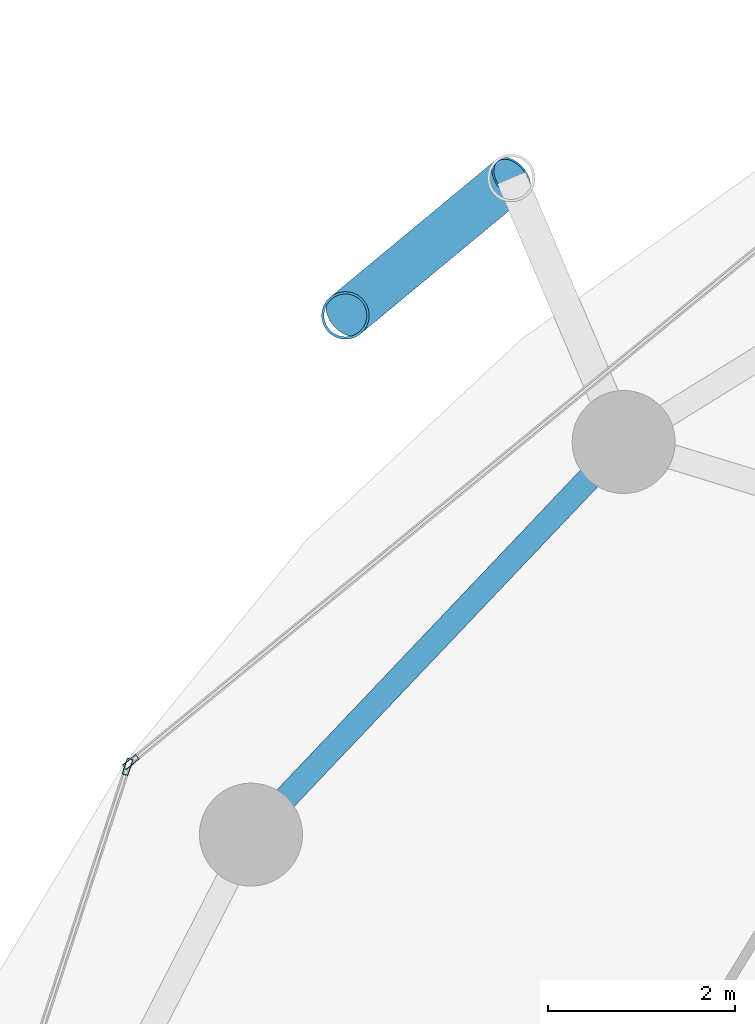
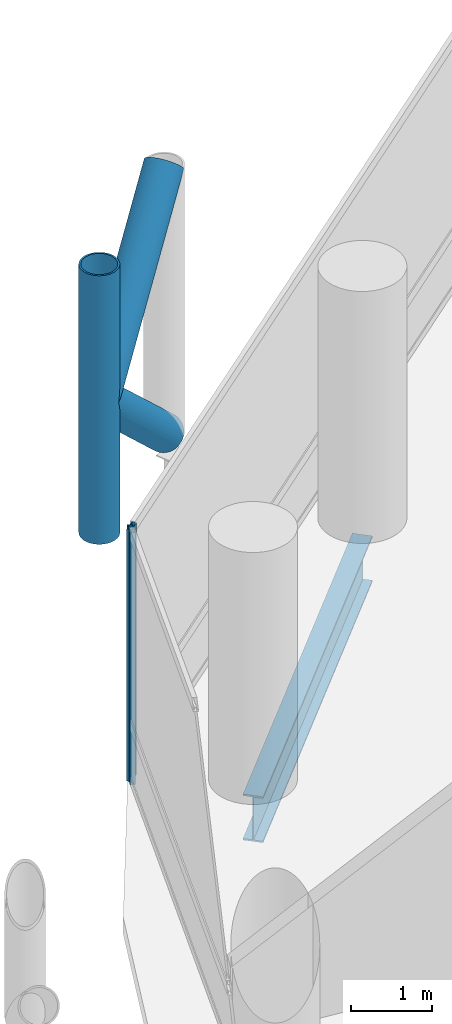
# One storey, part 13 of 25: 5 members, 1 beam, 2 elements without a shape of their own.
"""IFC4 building model written with IfcOpenShell, lengths in metres."""

from ifc_helpers import new_model, si_unit, direction, frame, origin, origin_2d, place, context, subcontext, project, spatial, hollow_rectangle, hollow_circle, i_section, extrude, material, layer, layer_set, material_profile, profile_set, type_object, element, aggregate, save


model = new_model("IFC4")

# Units and contexts
model_context = context("Model", 3, precision=1e-05, world=origin(), true_north=direction((0.0, 1.0)))
body_context = subcontext(model_context, "Body", "Model", "MODEL_VIEW")
ifc_project = project(units=[si_unit("LENGTHUNIT", "METRE"), si_unit("AREAUNIT", "SQUARE_METRE"), si_unit("VOLUMEUNIT", "CUBIC_METRE"), si_unit("PLANEANGLEUNIT", "RADIAN"), si_unit("MASSUNIT", "GRAM", prefix="KILO")], contexts=[model_context])

# Site, building, storey
site_placement = place(None, origin())
site = spatial("IfcSite", under=ifc_project, at=site_placement, CompositionType="ELEMENT")
building_placement = place(site_placement, origin())
building = spatial("IfcBuilding", under=site, at=building_placement, Name="Nuhasar Tower", CompositionType="ELEMENT")
storey_placement = place(building_placement, frame((0.0, 0.0, 61.5)))
storey = spatial("IfcBuildingStorey", under=building, at=storey_placement, Name="L14", CompositionType="ELEMENT", Elevation=61.5)

# Beam
ifc_material_1 = material(Name="Steel S355", Category="steel")
ifc_material_profile_1 = material_profile(ifc_material_1, i_section(OverallWidth=0.256103515625, OverallDepth=0.693115234375, WebThickness=0.014404296875, FlangeThickness=0.023681640625, at=origin_2d()), Name="W27X114")
ifc_profile_set_1 = profile_set([ifc_material_profile_1], Name="Steel S355")
beam_type = type_object("IfcBeamType", Name="BM-RING-W27X114", PredefinedType="SPANDREL", material=ifc_profile_set_1)
beam_placement = place(storey_placement, frame((21.287109375, 41.118896484375, -0.595947265625), z_axis=(-0.688480893507, -0.725254478976, 0.0), x_axis=(0.725254478976, -0.688480893507, 0.0)))
element("IfcBeam", 1, at=beam_placement, inside=storey, type_object=beam_type, Name="L14 Perimeter Ring Spandrel 10", PredefinedType="SPANDREL", context=body_context, shape_type="SweptSolid", body=[
    extrude(i_section(OverallWidth=0.256103515625, OverallDepth=0.693115234375, WebThickness=0.014404296875, FlangeThickness=0.023681640625, at=origin_2d()), origin(), (0.0, 0.0, 1.0), 5.782470703125),
])

# Curtain wall, member
ifc_material_2 = material(Name="Aluminium 6063-T6", Category="aluminium")
ifc_layer = layer(ifc_material_2, 0.199951171875)
ifc_layer_set = layer_set([ifc_layer], Name="Aluminium 6063-T6")
curtain_wall_type = type_object("IfcCurtainWallType", Name="CW-Z1-OFF", PredefinedType="NOTDEFINED", material=ifc_layer_set)
curtain_wall_1_placement = place(storey_placement, origin())
curtain_wall_1 = element("IfcCurtainWall", 2, at=curtain_wall_1_placement, inside=storey, type_object=curtain_wall_type, Name="L14 Unitised Curtain Wall 05", PredefinedType="NOTDEFINED")
ifc_material_profile_2 = material_profile(ifc_material_2, hollow_rectangle(XDim=0.06494140625, YDim=0.179931640625, WallThickness=0.0048828125, at=origin_2d()), Name="CWM-2")
ifc_profile_set_2 = profile_set([ifc_material_profile_2], Name="Aluminium 6063-T6")
member_type_1 = type_object("IfcMemberType", Name="CW-MUL-S2", PredefinedType="MULLION", material=ifc_profile_set_2)
member_1_placement = place(storey_placement, frame((16.023193359375, 37.70068359375, 0.0), z_axis=(0.0, 0.0, 1.0), x_axis=(0.633744593376, -0.773542364946, 0.0)))
member_1 = element("IfcMember", 3, at=member_1_placement, type_object=member_type_1, Name="CW-Z1 mullion 2", PredefinedType="MULLION", context=body_context, shape_type="SweptSolid", body=[
    extrude(hollow_rectangle(XDim=0.06494140625, YDim=0.179931640625, WallThickness=0.0048828125, at=origin_2d()), origin(), (0.0, 0.0, 1.0), 3.800048828125),
])
aggregate(curtain_wall_1, [member_1])

curtain_wall_2_placement = place(storey_placement, origin())
curtain_wall_2 = element("IfcCurtainWall", 4, at=curtain_wall_2_placement, inside=storey, type_object=curtain_wall_type, Name="L14 Unitised Curtain Wall 06", PredefinedType="NOTDEFINED")
member_2_placement = place(storey_placement, frame((15.98779296875, 37.649169921875, 0.0), z_axis=(0.0, 0.0, 1.0), x_axis=(0.950467534571, -0.310823849997, 0.0)))
member_2 = element("IfcMember", 5, at=member_2_placement, type_object=member_type_1, Name="CW-Z1 mullion 1", PredefinedType="MULLION", context=body_context, shape_type="SweptSolid", body=[
    extrude(hollow_rectangle(XDim=0.06494140625, YDim=0.179931640625, WallThickness=0.0048828125, at=origin_2d()), origin(), (0.0, 0.0, 1.0), 3.800048828125),
])
aggregate(curtain_wall_2, [member_2])

# Members
ifc_material_3 = material(Name="Steel S460", Category="steel")
ifc_material_profile_3 = material_profile(ifc_material_3, hollow_circle(Radius=0.25390625, WallThickness=0.025390625, at=origin_2d()), Name="HSS508X25.4")
ifc_profile_set_3 = profile_set([ifc_material_profile_3], Name="Steel S460")
member_type_2 = type_object("IfcMemberType", Name="EXO-BRONZE-508", PredefinedType="BRACE", material=ifc_profile_set_3)
member_3_placement = place(storey_placement, frame((18.31494140625, 42.470947265625, 0.0), z_axis=(0.0, 0.0, 1.0), x_axis=(1.0, 0.0, 0.0)))
element("IfcMember", 6, at=member_3_placement, inside=storey, type_object=member_type_2, Name="L14 Exoskeleton Chord Column EC-05B", PredefinedType="BRACE", context=body_context, shape_type="SweptSolid", body=[
    extrude(hollow_circle(Radius=0.25390625, WallThickness=0.025390625, at=origin_2d()), origin(), (0.0, 0.0, 1.0), 4.050048828125),
])
member_4_placement = place(storey_placement, frame((20.0869140625, 43.93896484375, 0.0), z_axis=(-0.578101613167, -0.478937034992, 0.660619286251), x_axis=(0.637969333506, -0.770061769929, 0.0)))
element("IfcMember", 7, at=member_4_placement, inside=storey, type_object=member_type_2, Name="L14 Bronze Diagrid Brace W1-05", PredefinedType="BRACE", context=body_context, shape_type="SweptSolid", body=[
    extrude(hollow_circle(Radius=0.25390625, WallThickness=0.025390625, at=origin_2d()), origin(), (0.0, 0.0, 1.0), 3.065185546875),
])
member_5_placement = place(storey_placement, frame((18.31494140625, 42.470947265625, 2.02490234375), z_axis=(0.578071194894, 0.478911834514, 0.660664172175), x_axis=(-0.637969333506, 0.770061769929, 0.0)))
element("IfcMember", 8, at=member_5_placement, inside=storey, type_object=member_type_2, Name="L14 Bronze Diagrid Brace W2-05", PredefinedType="BRACE", context=body_context, shape_type="SweptSolid", body=[
    extrude(hollow_circle(Radius=0.25390625, WallThickness=0.025390625, at=origin_2d()), origin(), (0.0, 0.0, 1.0), 3.0654296875),
])

save(model, "model.ifc")
